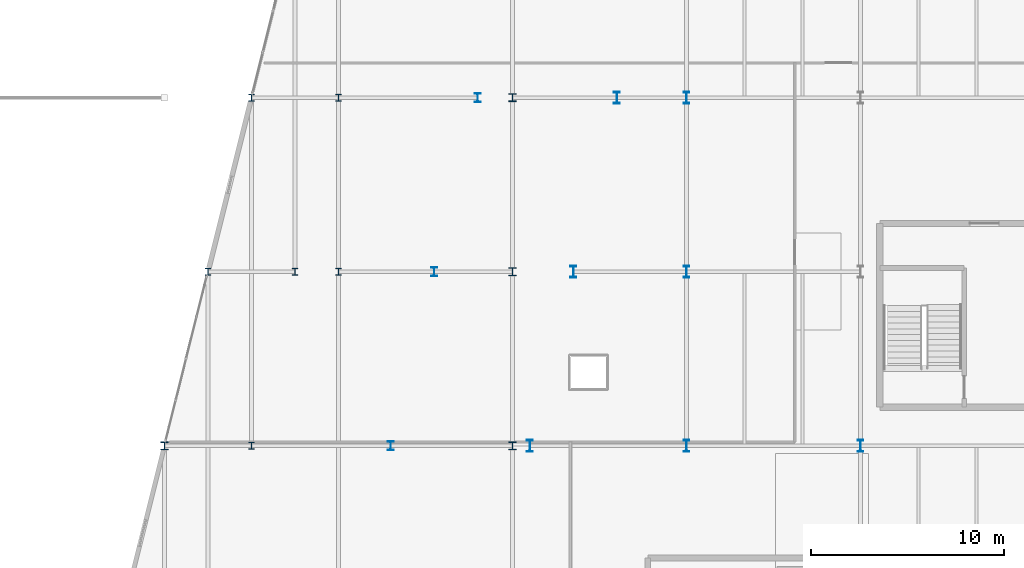
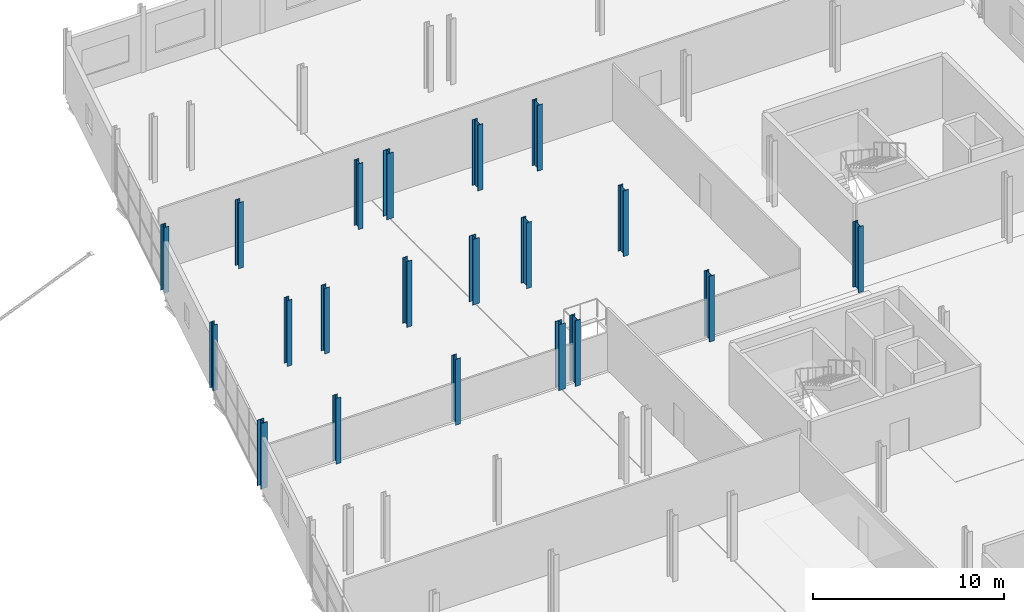
# One storey, part 18 of 140: 20 columns.
"""IFC4 building model written with IfcOpenShell, lengths in metres."""

from ifc_helpers import new_model, si_unit, direction, frame, origin, origin_2d, place, context, subcontext, project, spatial, i_section, extrude, material, material_profile, profile_set, type_object, element, save


model = new_model("IFC4")

# Units and contexts
model_context = context("Model", 3, precision=1e-05, world=origin(), true_north=direction((0.0, 1.0)))
body_context = subcontext(model_context, "Body", "Model", "MODEL_VIEW")
ifc_project = project(units=[si_unit("LENGTHUNIT", "METRE"), si_unit("AREAUNIT", "SQUARE_METRE"), si_unit("VOLUMEUNIT", "CUBIC_METRE"), si_unit("PLANEANGLEUNIT", "RADIAN"), si_unit("MASSUNIT", "GRAM", prefix="KILO")], contexts=[model_context])

# Site, building, storey
site_placement = place(None, origin())
site = spatial("IfcSite", under=ifc_project, at=site_placement, CompositionType="ELEMENT")
building_placement = place(site_placement, origin())
building = spatial("IfcBuilding", under=site, at=building_placement, Name="Deido Ridge Mobility Hub", CompositionType="ELEMENT")
storey_placement = place(building_placement, origin())
storey = spatial("IfcBuildingStorey", under=building, at=storey_placement, Name="L00", CompositionType="ELEMENT", Elevation=0.0)

# Columns
ifc_material = material(Name="Steel S355J2 EN 10025-2", Category="steel")
ifc_material_profile_1 = material_profile(ifc_material, i_section(OverallWidth=0.39892578125, OverallDepth=0.39306640625, WebThickness=0.017578125, FlangeThickness=0.028076171875, FilletRadius=0.014892578125, at=origin_2d()), Name="HD 400x287")
ifc_profile_set_1 = profile_set([ifc_material_profile_1], Name="Steel S355J2 EN 10025-2")
column_type_1 = type_object("IfcColumnType", Name="COL-HD400-287", PredefinedType="COLUMN", material=ifc_profile_set_1)
for number, where, z_axis, x_axis, name in (
    (1, (126.0, 36.0, 0.0), (0.0, 0.0, 1.0), (1.0, 0.0, 0.0), "Structural column C2"),
    (2, (144.0, 36.0, 0.0), (0.0, 0.0, 1.0), (1.0, 0.0, 0.0), "Structural column C2"),
    (3, (144.0, 45.0, 0.0), (0.0, 0.0, 1.0), (1.0, 0.0, 0.0), "Structural column C2"),
    (4, (144.0, 54.0, 0.0), (0.0, 0.0, 1.0), (1.0, 0.0, 0.0), "Structural column C2"),
):
    element("IfcColumn", number, at=place(storey_placement, frame(where, z_axis=z_axis, x_axis=x_axis)), inside=storey, type_object=column_type_1, Name=name, PredefinedType="COLUMN", context=body_context, shape_type="SweptSolid", body=[
        extrude(i_section(OverallWidth=0.39892578125, OverallDepth=0.39306640625, WebThickness=0.017578125, FlangeThickness=0.028076171875, FilletRadius=0.014892578125, at=origin_2d()), origin(), (0.0, 0.0, 1.0), 4.199951171875),
    ])
ifc_material_profile_2 = material_profile(ifc_material, i_section(OverallWidth=0.300048828125, OverallDepth=0.360107421875, WebThickness=0.012451171875, FlangeThickness=0.0224609375, FilletRadius=0.027099609375, at=origin_2d()), Name="HEB 360")
ifc_profile_set_2 = profile_set([ifc_material_profile_2], Name="Steel S355J2 EN 10025-2")
column_type_2 = type_object("IfcColumnType", Name="COL-HEB360", PredefinedType="COLUMN", material=ifc_profile_set_2)
for number, where, z_axis, x_axis, name in (
    (5, (130.5, 36.0, 0.0), (0.0, 0.0, 1.0), (1.0, 0.0, 0.0), "Structural column C8"),
    (6, (128.25, 45.0, 0.0), (0.0, 0.0, 1.0), (1.0, 0.0, 0.0), "Structural column C8"),
    (7, (132.75, 45.0, 0.0), (0.0, 0.0, 1.0), (1.0, 0.0, 0.0), "Structural column C8"),
    (8, (135.0, 45.0, 0.0), (0.0, 0.0, 1.0), (1.0, 0.0, 0.0), "Structural column C8"),
    (9, (130.5, 54.0, 0.0), (0.0, 0.0, 1.0), (1.0, 0.0, 0.0), "Structural column C8"),
    (10, (135.0, 54.0, 0.0), (0.0, 0.0, 1.0), (1.0, 0.0, 0.0), "Structural column C8"),
):
    element("IfcColumn", number, at=place(storey_placement, frame(where, z_axis=z_axis, x_axis=x_axis)), inside=storey, type_object=column_type_2, Name=name, PredefinedType="COLUMN", context=body_context, shape_type="SweptSolid", body=[
        extrude(i_section(OverallWidth=0.300048828125, OverallDepth=0.360107421875, WebThickness=0.012451171875, FlangeThickness=0.0224609375, FilletRadius=0.027099609375, at=origin_2d()), origin(), (0.0, 0.0, 1.0), 4.199951171875),
    ])
ifc_material_profile_3 = material_profile(ifc_material, i_section(OverallWidth=0.300048828125, OverallDepth=0.449951171875, WebThickness=0.013916015625, FlangeThickness=0.02587890625, FilletRadius=0.027099609375, at=origin_2d()), Name="HEB 450")
ifc_profile_set_3 = profile_set([ifc_material_profile_3], Name="Steel S355J2 EN 10025-2")
column_type_3 = type_object("IfcColumnType", Name="COL-HEB450", PredefinedType="COLUMN", material=ifc_profile_set_3)
for number, where, z_axis, x_axis, name in (
    (11, (137.699951171875, 36.0, 0.0), (0.0, 0.0, 1.0), (1.0, 0.0, 0.0), "Structural column C6"),
    (12, (139.949951171875, 45.0, 0.0), (0.0, 0.0, 1.0), (1.0, 0.0, 0.0), "Structural column C6"),
    (13, (142.199951171875, 54.0, 0.0), (0.0, 0.0, 1.0), (1.0, 0.0, 0.0), "Structural column C6"),
):
    element("IfcColumn", number, at=place(storey_placement, frame(where, z_axis=z_axis, x_axis=x_axis)), inside=storey, type_object=column_type_3, Name=name, PredefinedType="COLUMN", context=body_context, shape_type="SweptSolid", body=[
        extrude(i_section(OverallWidth=0.300048828125, OverallDepth=0.449951171875, WebThickness=0.013916015625, FlangeThickness=0.02587890625, FilletRadius=0.027099609375, at=origin_2d()), origin(), (0.0, 0.0, 1.0), 4.199951171875),
    ])
ifc_material_profile_4 = material_profile(ifc_material, i_section(OverallWidth=0.300048828125, OverallDepth=0.60009765625, WebThickness=0.015380859375, FlangeThickness=0.030029296875, FilletRadius=0.027099609375, at=origin_2d()), Name="HEB 600")
ifc_profile_set_4 = profile_set([ifc_material_profile_4], Name="Steel S355J2 EN 10025-2")
column_type_4 = type_object("IfcColumnType", Name="COL-HEB600", PredefinedType="COLUMN", material=ifc_profile_set_4)
for number, where, z_axis, x_axis, name in (
    (14, (144.89990234375, 36.0, 0.0), (0.0, 0.0, 1.0), (1.0, 0.0, 0.0), "Structural column C4"),
    (15, (153.0, 36.0, 0.0), (0.0, 0.0, 1.0), (1.0, 0.0, 0.0), "Structural column C4"),
    (16, (162.0, 36.0, 0.0), (0.0, 0.0, 1.0), (1.0, 0.0, 0.0), "Structural column C4"),
    (17, (147.14990234375, 45.0, 0.0), (0.0, 0.0, 1.0), (1.0, 0.0, 0.0), "Structural column C4"),
    (18, (153.0, 45.0, 0.0), (0.0, 0.0, 1.0), (1.0, 0.0, 0.0), "Structural column C4"),
    (19, (149.39990234375, 54.0, 0.0), (0.0, 0.0, 1.0), (1.0, 0.0, 0.0), "Structural column C4"),
    (20, (153.0, 54.0, 0.0), (0.0, 0.0, 1.0), (1.0, 0.0, 0.0), "Structural column C4"),
):
    element("IfcColumn", number, at=place(storey_placement, frame(where, z_axis=z_axis, x_axis=x_axis)), inside=storey, type_object=column_type_4, Name=name, PredefinedType="COLUMN", context=body_context, shape_type="SweptSolid", body=[
        extrude(i_section(OverallWidth=0.300048828125, OverallDepth=0.60009765625, WebThickness=0.015380859375, FlangeThickness=0.030029296875, FilletRadius=0.027099609375, at=origin_2d()), origin(), (0.0, 0.0, 1.0), 4.199951171875),
    ])

save(model, "model.ifc")
